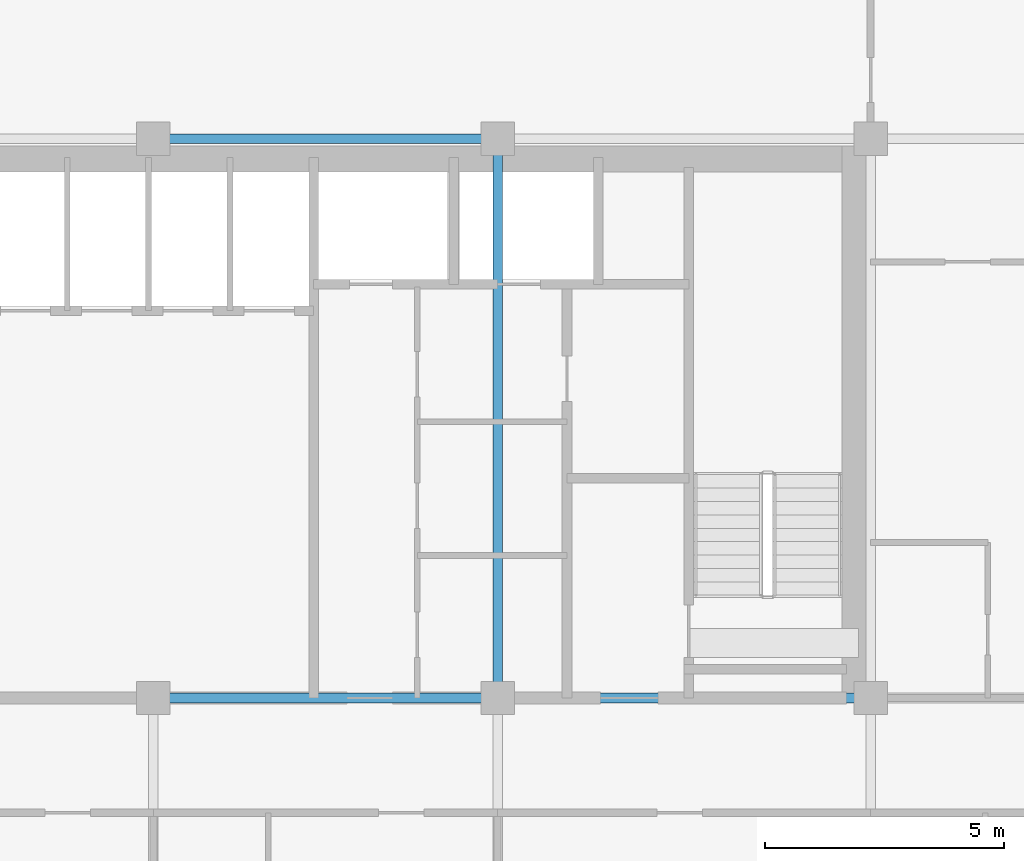
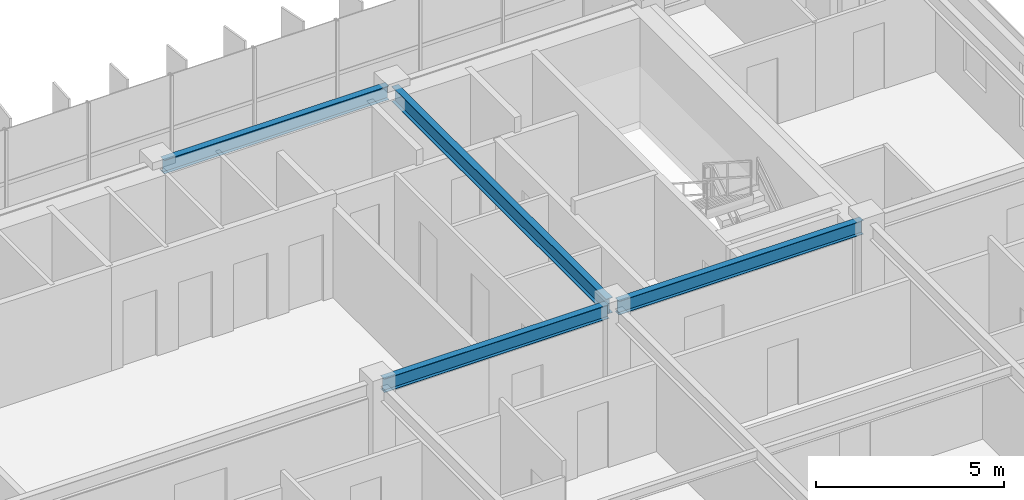
# One storey, part 10 of 23: 4 beams.
"""IFC4 building model written with IfcOpenShell, lengths in metres."""

from ifc_helpers import new_model, si_unit, direction, frame, origin, origin_2d, place, context, subcontext, project, spatial, i_section, extrude, source, transform, mapped, material, material_profile, profile_set, type_object, element, save


model = new_model("IFC4")

# Units and contexts
model_context = context("Model", 3, precision=1e-05, world=origin(), true_north=direction((0.0, 1.0)))
body_context = subcontext(model_context, "Body", "Model", "MODEL_VIEW")
ifc_project = project(units=[si_unit("LENGTHUNIT", "METRE"), si_unit("AREAUNIT", "SQUARE_METRE"), si_unit("VOLUMEUNIT", "CUBIC_METRE"), si_unit("PLANEANGLEUNIT", "RADIAN"), si_unit("MASSUNIT", "GRAM", prefix="KILO")], contexts=[model_context])

# Site, building, storey
site_placement = place(None, origin())
site = spatial("IfcSite", under=ifc_project, at=site_placement, CompositionType="ELEMENT")
building_placement = place(site_placement, origin())
building = spatial("IfcBuilding", under=site, at=building_placement, Name="Trelvane Seafront Commons", CompositionType="ELEMENT")
storey_placement = place(building_placement, frame((0.0, 0.0, 219.300048828125)))
storey = spatial("IfcBuildingStorey", under=building, at=storey_placement, Name="L57", CompositionType="ELEMENT", Elevation=219.300048828125)

# Beams
ifc_material = material(Name="Steel SM355 (S355)", Category="steel")
ifc_material_profile_1 = material_profile(ifc_material, i_section(OverallWidth=0.199951171875, OverallDepth=0.5, WebThickness=0.010009765625, FlangeThickness=0.01611328125, at=origin_2d()), Name="H-500x200x10x16")
ifc_profile_set_1 = profile_set([ifc_material_profile_1], Name="Steel SM355 (S355)")
beam_type_1 = type_object("IfcBeamType", Name="STR-BM-H500", PredefinedType="BEAM", material=ifc_profile_set_1)
shared_shape_1 = source(origin(), body_context, "Body", "SweptSolid", [
    extrude(i_section(OverallWidth=0.199951171875, OverallDepth=0.5, WebThickness=0.010009765625, FlangeThickness=0.01611328125, at=origin_2d()), origin(), (0.0, 0.0, 1.0), 11.39990234375),
])
beam_1_placement = place(storey_placement, frame((51.0, 33.550048828125, 3.10986328125), z_axis=(0.0, 1.0, 0.0), x_axis=(-1.0, 0.0, 0.0)))
element("IfcBeam", 1, at=beam_1_placement, inside=storey, type_object=beam_type_1, Name="L57 Primary Girder G-46", PredefinedType="BEAM", context=body_context, shape_type="MappedRepresentation", body=[
    mapped(shared_shape_1, transform((0.0, 0.0, 0.0), x_axis=(1.0, 0.0, 0.0), y_axis=(0.0, 1.0, 0.0), z_axis=(0.0, 0.0, 1.0), scale=1.0)),
])
ifc_material_profile_2 = material_profile(ifc_material, i_section(OverallWidth=0.199951171875, OverallDepth=0.449951171875, WebThickness=0.009033203125, FlangeThickness=0.013916015625, at=origin_2d()), Name="H-450x200x9x14")
ifc_profile_set_2 = profile_set([ifc_material_profile_2], Name="Steel SM355 (S355)")
beam_type_2 = type_object("IfcBeamType", Name="STR-SPD-H450", PredefinedType="SPANDREL", material=ifc_profile_set_2)
shared_shape_2 = source(origin(), body_context, "Body", "SweptSolid", [
    extrude(i_section(OverallWidth=0.199951171875, OverallDepth=0.449951171875, WebThickness=0.009033203125, FlangeThickness=0.013916015625, at=origin_2d()), origin(), (0.0, 0.0, 1.0), 7.5),
])
beam_2_placement = place(storey_placement, frame((51.14990234375, 33.39990234375, 3.135009765625), z_axis=(1.0, 0.0, 0.0), x_axis=(0.0, 1.0, 0.0)))
element("IfcBeam", 2, at=beam_2_placement, inside=storey, type_object=beam_type_2, Name="L57 Primary Girder G-20", PredefinedType="SPANDREL", context=body_context, shape_type="MappedRepresentation", body=[
    mapped(shared_shape_2, transform((0.0, 0.0, 0.0), x_axis=(1.0, 0.0, 0.0), y_axis=(0.0, 1.0, 0.0), z_axis=(0.0, 0.0, 1.0), scale=1.0)),
])
shared_shape_3 = source(origin(), body_context, "Body", "SweptSolid", [
    extrude(i_section(OverallWidth=0.199951171875, OverallDepth=0.449951171875, WebThickness=0.009033203125, FlangeThickness=0.013916015625, at=origin_2d()), origin(), (0.0, 0.0, 1.0), 6.900146484375),
])
for number, where, z_axis, x_axis, name in (
    (3, (43.949951171875, 33.39990234375, 3.135009765625), (1.0, 0.0, 0.0), (0.0, 1.0, 0.0), "L57 Primary Girder G-19"),
    (4, (43.949951171875, 45.10009765625, 3.135009765625), (1.0, 0.0, 0.0), (0.0, 1.0, 0.0), "L57 Primary Girder G-26"),
):
    element("IfcBeam", number, at=place(storey_placement, frame(where, z_axis=z_axis, x_axis=x_axis)), inside=storey, type_object=beam_type_2, Name=name, PredefinedType="SPANDREL", context=body_context, shape_type="MappedRepresentation", body=[
        mapped(shared_shape_3, transform((0.0, 0.0, 0.0), x_axis=(1.0, 0.0, 0.0), y_axis=(0.0, 1.0, 0.0), z_axis=(0.0, 0.0, 1.0), scale=1.0)),
    ])

save(model, "model.ifc")
